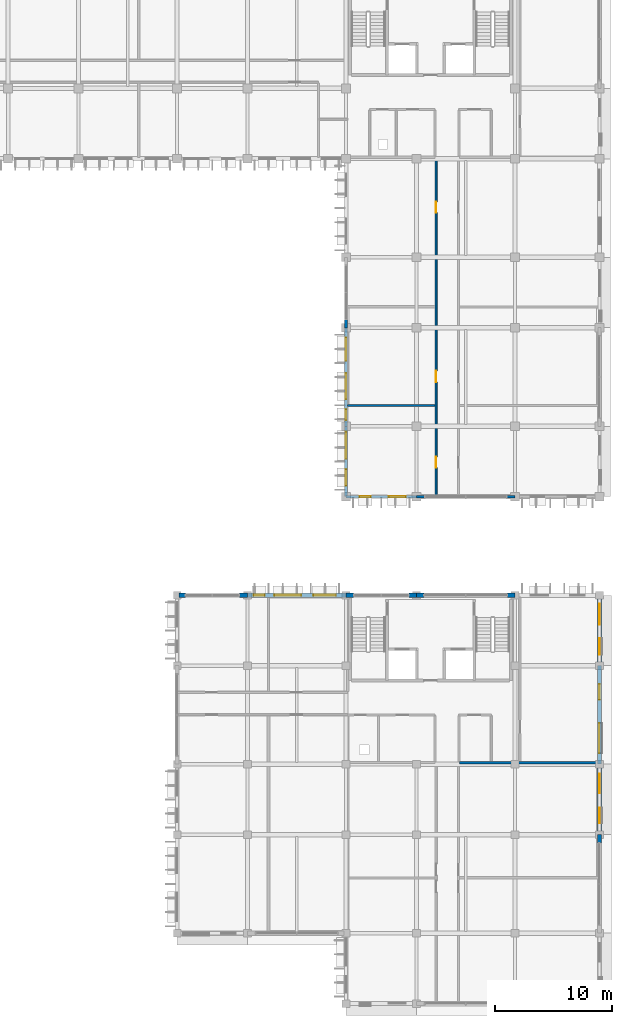
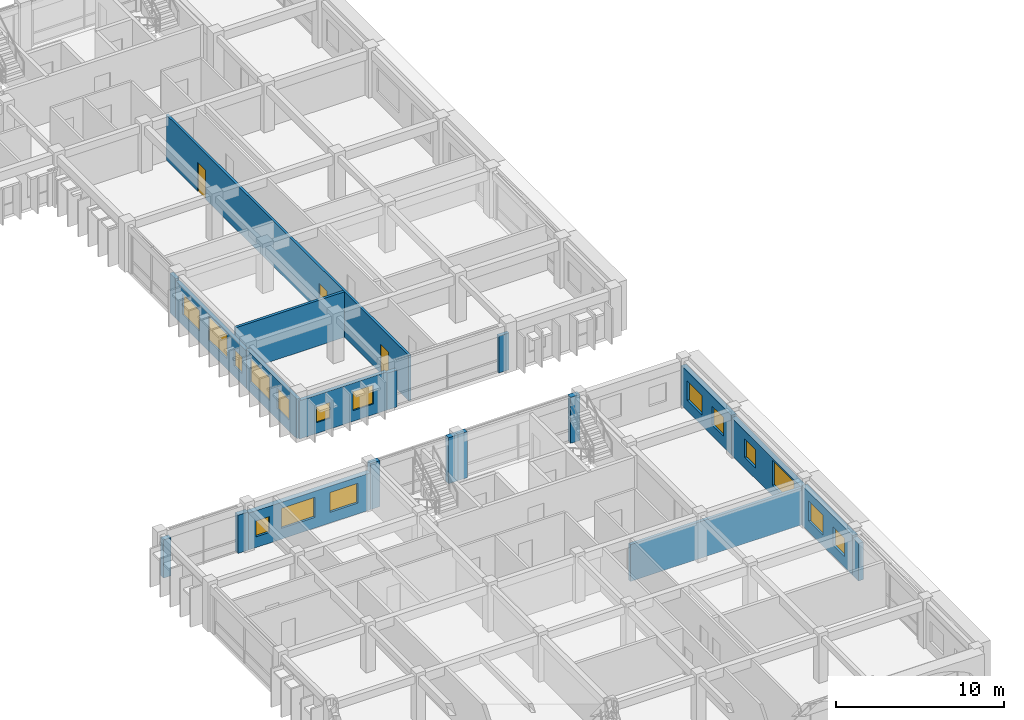
# One storey, part 64 of 88: 20 walls, 16 windows, 3 doors, 19 openings.
"""IFC4 building model written with IfcOpenShell, lengths in metres."""

from ifc_helpers import new_model, si_unit, direction, frame, frame_2d, origin, place, context, subcontext, project, spatial, rectangle, extrude, material, layer, layer_set, type_object, element, fill, save


model = new_model("IFC4")

# Units and contexts
model_context = context("Model", 3, precision=1e-05, world=origin(), true_north=direction((0.0, 1.0)))
body_context = subcontext(model_context, "Body", "Model", "MODEL_VIEW")
ifc_project = project(units=[si_unit("LENGTHUNIT", "METRE"), si_unit("AREAUNIT", "SQUARE_METRE"), si_unit("VOLUMEUNIT", "CUBIC_METRE"), si_unit("PLANEANGLEUNIT", "RADIAN"), si_unit("MASSUNIT", "GRAM", prefix="KILO"), si_unit("THERMODYNAMICTEMPERATUREUNIT", "KELVIN")], contexts=[model_context])

# Site, building, storey
site_placement = place(None, origin())
site = spatial("IfcSite", under=ifc_project, at=site_placement, CompositionType="ELEMENT")
building_placement = place(site_placement, origin())
building = spatial("IfcBuilding", under=site, at=building_placement, Name="Thalorik Housing Commons", CompositionType="ELEMENT")
storey_placement = place(building_placement, frame((0.0, 0.0, 4.5)))
storey = spatial("IfcBuildingStorey", under=building, at=storey_placement, Name="L01", CompositionType="ELEMENT", Elevation=4.5)

# Wall, openings, doors
ifc_material_1 = material(Name="Masonry fire-rated corridor wall", Category="masonry")
ifc_layer_1 = layer(ifc_material_1, 0.1650390625, Name="Masonry fire-rated corridor wall", Category="masonry")
ifc_layer_set_1 = layer_set([ifc_layer_1], Name="Masonry fire-rated corridor wall")
wall_type_1 = type_object("IfcWallType", Name="ARC-WAL-CORR-165", PredefinedType="PARTITIONING", material=ifc_layer_set_1)
wall_1_placement = place(storey_placement, frame((160.080078125, 80.4599609375, 0.0), z_axis=(0.0, 0.0, 1.0), x_axis=(0.0, 1.0, 0.0)))
wall_1 = element("IfcWall", 1, at=wall_1_placement, inside=storey, type_object=wall_type_1, Name="L01 Block B E Corridor Wall 1", PredefinedType="PARTITIONING", context=body_context, shape_type="SweptSolid", body=[
    extrude(rectangle(XDim=28.880126953125, YDim=0.1650390625, at=frame_2d((14.43994140625, 0.0))), origin(), (0.0, 0.0, 1.0), 3.300048828125),
])
opening_1_placement = place(wall_1_placement, frame((2.4052734375, 0.0, 0.0)))
opening_1 = element("IfcOpeningElement", 2, at=opening_1_placement, cuts=wall_1, Name="Opening ID-1019", PredefinedType="OPENING", context=body_context, shape_type="SweptSolid", body=[
    extrude(rectangle(XDim=0.949951171875, YDim=2.10009765625, at=frame_2d((0.47509765625, 1.050048828125))), frame((0.0, 0.092529296875, 0.0), z_axis=(0.0, -1.0, 0.0), x_axis=(1.0, 0.0, 0.0)), (0.0, 0.0, 1.0), 0.18505859375),
])
opening_2_placement = place(wall_1_placement, frame((9.70751953125, 0.0, 0.0)))
opening_2 = element("IfcOpeningElement", 3, at=opening_2_placement, cuts=wall_1, Name="Opening ID-1020", PredefinedType="OPENING", context=body_context, shape_type="SweptSolid", body=[
    extrude(rectangle(XDim=0.949951171875, YDim=2.10009765625, at=frame_2d((0.47509765625, 1.050048828125))), frame((0.0, 0.092529296875, 0.0), z_axis=(0.0, -1.0, 0.0), x_axis=(1.0, 0.0, 0.0)), (0.0, 0.0, 1.0), 0.18505859375),
])
opening_3_placement = place(wall_1_placement, frame((24.1455078125, 0.0, 0.0)))
opening_3 = element("IfcOpeningElement", 4, at=opening_3_placement, cuts=wall_1, Name="Opening ID-1021", PredefinedType="OPENING", context=body_context, shape_type="SweptSolid", body=[
    extrude(rectangle(XDim=0.949951171875, YDim=2.10009765625, at=frame_2d((0.47509765625, 1.050048828125))), frame((0.0, 0.092529296875, 0.0), z_axis=(0.0, -1.0, 0.0), x_axis=(1.0, 0.0, 0.0)), (0.0, 0.0, 1.0), 0.18505859375),
])
ifc_material_2 = material(Name="Steel S355", Category="steel")
door_type = type_object("IfcDoorType", Name="ARC-DR-FD60-950", OperationType="NOTDEFINED", PredefinedType="DOOR", material=ifc_material_2)
door_1_placement = place(opening_1_placement, origin())
door_1 = element("IfcDoor", 5, at=door_1_placement, inside=storey, type_object=door_type, Name="L01 Community Study Hall Entrance Door", OperationType="SINGLE_SWING_RIGHT", OverallHeight=2.10009765625, OverallWidth=0.949951171875, PredefinedType="DOOR", context=body_context, shape_type="SweptSolid", body=[
    extrude(rectangle(XDim=0.949951171875, YDim=2.10009765625, at=frame_2d((0.47509765625, 1.050048828125))), frame((0.0, 0.02490234375, 0.0), z_axis=(0.0, -1.0, 0.0), x_axis=(1.0, 0.0, 0.0)), (0.0, 0.0, 1.0), 0.050048828125),
])
fill(opening_1, door_1)
door_2_placement = place(opening_2_placement, origin())
door_2 = element("IfcDoor", 6, at=door_2_placement, inside=storey, type_object=door_type, Name="L01 Shared Sewing Workshop Entrance Door", OperationType="SINGLE_SWING_LEFT", OverallHeight=2.10009765625, OverallWidth=0.949951171875, PredefinedType="DOOR", context=body_context, shape_type="SweptSolid", body=[
    extrude(rectangle(XDim=0.949951171875, YDim=2.10009765625, at=frame_2d((0.47509765625, 1.050048828125))), frame((0.0, 0.02490234375, 0.0), z_axis=(0.0, -1.0, 0.0), x_axis=(1.0, 0.0, 0.0)), (0.0, 0.0, 1.0), 0.050048828125),
])
fill(opening_2, door_2)
door_3_placement = place(opening_3_placement, origin())
door_3 = element("IfcDoor", 7, at=door_3_placement, inside=storey, type_object=door_type, Name="L01 Digital Media Room Entrance Door", OperationType="SINGLE_SWING_RIGHT", OverallHeight=2.10009765625, OverallWidth=0.949951171875, PredefinedType="DOOR", context=body_context, shape_type="SweptSolid", body=[
    extrude(rectangle(XDim=0.949951171875, YDim=2.10009765625, at=frame_2d((0.47509765625, 1.050048828125))), frame((0.0, 0.02490234375, 0.0), z_axis=(0.0, -1.0, 0.0), x_axis=(1.0, 0.0, 0.0)), (0.0, 0.0, 1.0), 0.050048828125),
])
fill(opening_3, door_3)

# Wall
ifc_material_3 = material(Name="White precast concrete C40/50", Category="concrete")
ifc_layer_2 = layer(ifc_material_3, 0.2451171875, Name="White precast concrete C40/50", Category="concrete")
ifc_layer_set_2 = layer_set([ifc_layer_2], Name="White precast concrete C40/50")
wall_type_2 = type_object("IfcWallType", Name="ARC-WAL-EXT-245", PredefinedType="STANDARD", material=ifc_layer_set_2)
wall_2_placement = place(storey_placement, frame((152.39990234375, 95.5, 0.0), z_axis=(0.0, 0.0, 1.0), x_axis=(0.0, -1.0, 0.0)))
element("IfcWall", 8, at=wall_2_placement, inside=storey, type_object=wall_type_2, Name="L01 Exterior Wall WAL-PIERR-L01-B-0435", PredefinedType="STANDARD", context=body_context, shape_type="SweptSolid", body=[
    extrude(rectangle(XDim=0.699951171875, YDim=0.2451171875, at=frame_2d((0.35009765625, 0.0))), origin(), (0.0, 0.0, 1.0), 2.875),
])

# Wall, openings, windows
wall_3_placement = place(storey_placement, frame((152.39990234375, 94.800048828125, 0.0), z_axis=(0.0, 0.0, 1.0), x_axis=(0.0, -1.0, 0.0)))
wall_3 = element("IfcWall", 9, at=wall_3_placement, inside=storey, type_object=wall_type_2, Name="L01 Exterior Wall WAL-EXT-L01-B-0436", PredefinedType="STANDARD", context=body_context, shape_type="SweptSolid", body=[
    extrude(rectangle(XDim=8.400146484375, YDim=0.2451171875, at=frame_2d((4.2001953125, 0.0))), origin(), (0.0, 0.0, 1.0), 2.72509765625),
])
opening_4_placement = place(wall_3_placement, frame((0.83251953125, 0.0, 0.780029296875)))
opening_4 = element("IfcOpeningElement", 10, at=opening_4_placement, cuts=wall_3, Name="Opening W-23", PredefinedType="OPENING", context=body_context, shape_type="SweptSolid", body=[
    extrude(rectangle(XDim=2.0, YDim=1.5, at=frame_2d((1.0, 0.75))), frame((0.0, 0.132568359375, 0.0), z_axis=(0.0, -1.0, 0.0), x_axis=(1.0, 0.0, 0.0)), (0.0, 0.0, 1.0), 0.26513671875),
])
opening_5_placement = place(wall_3_placement, frame((3.87744140625, 0.0, 0.780029296875)))
opening_5 = element("IfcOpeningElement", 11, at=opening_5_placement, cuts=wall_3, Name="Opening W-30", PredefinedType="OPENING", context=body_context, shape_type="SweptSolid", body=[
    extrude(rectangle(XDim=2.199951171875, YDim=1.75, at=frame_2d((1.10009765625, 0.875))), frame((0.0, 0.132568359375, 0.0), z_axis=(0.0, -1.0, 0.0), x_axis=(1.0, 0.0, 0.0)), (0.0, 0.0, 1.0), 0.26513671875),
])
opening_6_placement = place(wall_3_placement, frame((6.965087890625, 0.0, 0.780029296875)))
opening_6 = element("IfcOpeningElement", 12, at=opening_6_placement, cuts=wall_3, Name="Opening W-01", PredefinedType="OPENING", context=body_context, shape_type="SweptSolid", body=[
    extrude(rectangle(XDim=0.89990234375, YDim=1.199951171875, at=frame_2d((0.449951171875, 0.60009765625))), frame((0.0, 0.132568359375, 0.0), z_axis=(0.0, -1.0, 0.0), x_axis=(1.0, 0.0, 0.0)), (0.0, 0.0, 1.0), 0.26513671875),
])
ifc_material_4 = material(Name="Anodised aluminium and solar-control low-E glass", Category="aluminium")
window_type_1 = type_object("IfcWindowType", Name="ARC-WIN-01", PartitioningType="SINGLE_PANEL", PredefinedType="WINDOW", material=ifc_material_4)
window_1_placement = place(opening_6_placement, origin())
window_1 = element("IfcWindow", 13, at=window_1_placement, inside=storey, type_object=window_type_1, Name="L01 Facade Window 780", OverallHeight=1.199951171875, OverallWidth=0.89990234375, PartitioningType="SINGLE_PANEL", PredefinedType="WINDOW", context=body_context, shape_type="SweptSolid", body=[
    extrude(rectangle(XDim=0.89990234375, YDim=1.199951171875, at=frame_2d((0.449951171875, 0.60009765625))), frame((0.0, 0.030029296875, 0.0), z_axis=(0.0, -1.0, 0.0), x_axis=(1.0, 0.0, 0.0)), (0.0, 0.0, 1.0), 0.06005859375),
])
fill(opening_6, window_1)
window_type_2 = type_object("IfcWindowType", Name="ARC-WIN-23", PartitioningType="DOUBLE_PANEL_VERTICAL", PredefinedType="WINDOW", material=ifc_material_4)
window_2_placement = place(opening_4_placement, origin())
window_2 = element("IfcWindow", 14, at=window_2_placement, inside=storey, type_object=window_type_2, Name="L01 Facade Window 778", OverallHeight=1.5, OverallWidth=2.0, PartitioningType="DOUBLE_PANEL_VERTICAL", PredefinedType="WINDOW", context=body_context, shape_type="SweptSolid", body=[
    extrude(rectangle(XDim=2.0, YDim=1.5, at=frame_2d((1.0, 0.75))), frame((0.0, 0.030029296875, 0.0), z_axis=(0.0, -1.0, 0.0), x_axis=(1.0, 0.0, 0.0)), (0.0, 0.0, 1.0), 0.06005859375),
])
fill(opening_4, window_2)
window_type_3 = type_object("IfcWindowType", Name="ARC-WIN-30", PartitioningType="DOUBLE_PANEL_VERTICAL", PredefinedType="WINDOW", material=ifc_material_4)
window_3_placement = place(opening_5_placement, origin())
window_3 = element("IfcWindow", 15, at=window_3_placement, inside=storey, type_object=window_type_3, Name="L01 Facade Window 779", OverallHeight=1.75, OverallWidth=2.199951171875, PartitioningType="DOUBLE_PANEL_VERTICAL", PredefinedType="WINDOW", context=body_context, shape_type="SweptSolid", body=[
    extrude(rectangle(XDim=2.199951171875, YDim=1.75, at=frame_2d((1.10009765625, 0.875))), frame((0.0, 0.030029296875, 0.0), z_axis=(0.0, -1.0, 0.0), x_axis=(1.0, 0.0, 0.0)), (0.0, 0.0, 1.0), 0.06005859375),
])
fill(opening_5, window_3)

wall_4_placement = place(storey_placement, frame((152.39990234375, 86.39990234375, 0.0), z_axis=(0.0, 0.0, 1.0), x_axis=(0.0, -1.0, 0.0)))
wall_4 = element("IfcWall", 16, at=wall_4_placement, inside=storey, type_object=wall_type_2, Name="L01 Exterior Wall WAL-EXT-L01-B-0437", PredefinedType="STANDARD", context=body_context, shape_type="SweptSolid", body=[
    extrude(rectangle(XDim=6.0, YDim=0.2451171875, at=frame_2d((3.0, 0.0))), origin(), (0.0, 0.0, 1.0), 2.875),
])
opening_7_placement = place(wall_4_placement, frame((0.47998046875, 0.0, 0.780029296875)))
opening_7 = element("IfcOpeningElement", 17, at=opening_7_placement, cuts=wall_4, Name="Opening W-32", PredefinedType="OPENING", context=body_context, shape_type="SweptSolid", body=[
    extrude(rectangle(XDim=2.300048828125, YDim=1.699951171875, at=frame_2d((1.14990234375, 0.85009765625))), frame((0.0, 0.132568359375, 0.0), z_axis=(0.0, -1.0, 0.0), x_axis=(1.0, 0.0, 0.0)), (0.0, 0.0, 1.0), 0.26513671875),
])
opening_8_placement = place(wall_4_placement, frame((3.679931640625, 0.0, 0.780029296875)))
opening_8 = element("IfcOpeningElement", 18, at=opening_8_placement, cuts=wall_4, Name="Opening W-49", PredefinedType="OPENING", context=body_context, shape_type="SweptSolid", body=[
    extrude(rectangle(XDim=1.3798828125, YDim=1.47998046875, at=frame_2d((0.68994140625, 0.739990234375))), frame((0.0, 0.132568359375, 0.0), z_axis=(0.0, -1.0, 0.0), x_axis=(1.0, 0.0, 0.0)), (0.0, 0.0, 1.0), 0.26513671875),
])
window_type_4 = type_object("IfcWindowType", Name="ARC-WIN-32", PartitioningType="DOUBLE_PANEL_VERTICAL", PredefinedType="WINDOW", material=ifc_material_4)
window_4_placement = place(opening_7_placement, origin())
window_4 = element("IfcWindow", 19, at=window_4_placement, inside=storey, type_object=window_type_4, Name="L01 Facade Window 781", OverallHeight=1.699951171875, OverallWidth=2.300048828125, PartitioningType="DOUBLE_PANEL_VERTICAL", PredefinedType="WINDOW", context=body_context, shape_type="SweptSolid", body=[
    extrude(rectangle(XDim=2.300048828125, YDim=1.699951171875, at=frame_2d((1.14990234375, 0.85009765625))), frame((0.0, 0.030029296875, 0.0), z_axis=(0.0, -1.0, 0.0), x_axis=(1.0, 0.0, 0.0)), (0.0, 0.0, 1.0), 0.06005859375),
])
fill(opening_7, window_4)
window_type_5 = type_object("IfcWindowType", Name="ARC-WIN-49", PartitioningType="SINGLE_PANEL", PredefinedType="WINDOW", material=ifc_material_4)
window_5_placement = place(opening_8_placement, origin())
window_5 = element("IfcWindow", 20, at=window_5_placement, inside=storey, type_object=window_type_5, Name="L01 Facade Window 782", OverallHeight=1.47998046875, OverallWidth=1.3798828125, PartitioningType="SINGLE_PANEL", PredefinedType="WINDOW", context=body_context, shape_type="SweptSolid", body=[
    extrude(rectangle(XDim=1.3798828125, YDim=1.47998046875, at=frame_2d((0.68994140625, 0.739990234375))), frame((0.0, 0.030029296875, 0.0), z_axis=(0.0, -1.0, 0.0), x_axis=(1.0, 0.0, 0.0)), (0.0, 0.0, 1.0), 0.06005859375),
])
fill(opening_8, window_5)

wall_5_placement = place(storey_placement, frame((152.39990234375, 80.39990234375, 0.0), z_axis=(0.0, 0.0, 1.0), x_axis=(1.0, 0.0, 0.0)))
wall_5 = element("IfcWall", 21, at=wall_5_placement, inside=storey, type_object=wall_type_2, Name="L01 Exterior Wall WAL-EXT-L01-B-0438", PredefinedType="STANDARD", context=body_context, shape_type="SweptSolid", body=[
    extrude(rectangle(XDim=6.0, YDim=0.2451171875, at=frame_2d((3.0, 0.0))), origin(), (0.0, 0.0, 1.0), 2.77490234375),
])
opening_9_placement = place(wall_5_placement, frame((1.155029296875, 0.0, 0.780029296875)))
opening_9 = element("IfcOpeningElement", 22, at=opening_9_placement, cuts=wall_5, Name="Opening W-43", PredefinedType="OPENING", context=body_context, shape_type="SweptSolid", body=[
    extrude(rectangle(XDim=0.949951171875, YDim=1.14990234375, at=frame_2d((0.47509765625, 0.574951171875))), frame((0.0, 0.132568359375, 0.0), z_axis=(0.0, -1.0, 0.0), x_axis=(1.0, 0.0, 0.0)), (0.0, 0.0, 1.0), 0.26513671875),
])
opening_10_placement = place(wall_5_placement, frame((3.659912109375, 0.0, 0.780029296875)))
opening_10 = element("IfcOpeningElement", 23, at=opening_10_placement, cuts=wall_5, Name="Opening W-50", PredefinedType="OPENING", context=body_context, shape_type="SweptSolid", body=[
    extrude(rectangle(XDim=1.419921875, YDim=1.3798828125, at=frame_2d((0.7099609375, 0.68994140625))), frame((0.0, 0.132568359375, 0.0), z_axis=(0.0, -1.0, 0.0), x_axis=(1.0, 0.0, 0.0)), (0.0, 0.0, 1.0), 0.26513671875),
])
window_type_6 = type_object("IfcWindowType", Name="ARC-WIN-43", PartitioningType="SINGLE_PANEL", PredefinedType="WINDOW", material=ifc_material_4)
window_6_placement = place(opening_9_placement, origin())
window_6 = element("IfcWindow", 24, at=window_6_placement, inside=storey, type_object=window_type_6, Name="L01 Facade Window 783", OverallHeight=1.14990234375, OverallWidth=0.949951171875, PartitioningType="SINGLE_PANEL", PredefinedType="WINDOW", context=body_context, shape_type="SweptSolid", body=[
    extrude(rectangle(XDim=0.949951171875, YDim=1.14990234375, at=frame_2d((0.47509765625, 0.574951171875))), frame((0.0, 0.030029296875, 0.0), z_axis=(0.0, -1.0, 0.0), x_axis=(1.0, 0.0, 0.0)), (0.0, 0.0, 1.0), 0.06005859375),
])
fill(opening_9, window_6)
window_type_7 = type_object("IfcWindowType", Name="ARC-WIN-50", PartitioningType="SINGLE_PANEL", PredefinedType="WINDOW", material=ifc_material_4)
window_7_placement = place(opening_10_placement, origin())
window_7 = element("IfcWindow", 25, at=window_7_placement, inside=storey, type_object=window_type_7, Name="L01 Facade Window 784", OverallHeight=1.3798828125, OverallWidth=1.419921875, PartitioningType="SINGLE_PANEL", PredefinedType="WINDOW", context=body_context, shape_type="SweptSolid", body=[
    extrude(rectangle(XDim=1.419921875, YDim=1.3798828125, at=frame_2d((0.7099609375, 0.68994140625))), frame((0.0, 0.030029296875, 0.0), z_axis=(0.0, -1.0, 0.0), x_axis=(1.0, 0.0, 0.0)), (0.0, 0.0, 1.0), 0.06005859375),
])
fill(opening_10, window_7)

# Walls
wall_6_placement = place(storey_placement, frame((158.39990234375, 80.39990234375, 0.0), z_axis=(0.0, 0.0, 1.0), x_axis=(1.0, 0.0, 0.0)))
element("IfcWall", 26, at=wall_6_placement, inside=storey, type_object=wall_type_2, Name="L01 Exterior Wall WAL-PIERL-L01-B-0439", PredefinedType="STANDARD", context=body_context, shape_type="SweptSolid", body=[
    extrude(rectangle(XDim=0.7001953125, YDim=0.2451171875, at=frame_2d((0.35009765625, 0.0))), origin(), (0.0, 0.0, 1.0), 2.675048828125),
])
wall_7_placement = place(storey_placement, frame((166.10009765625, 80.39990234375, 0.0), z_axis=(0.0, 0.0, 1.0), x_axis=(1.0, 0.0, 0.0)))
element("IfcWall", 27, at=wall_7_placement, inside=storey, type_object=wall_type_2, Name="L01 Exterior Wall WAL-PIERR-L01-B-0439", PredefinedType="STANDARD", context=body_context, shape_type="SweptSolid", body=[
    extrude(rectangle(XDim=0.699951171875, YDim=0.2451171875, at=frame_2d((0.35009765625, 0.0))), origin(), (0.0, 0.0, 1.0), 2.675048828125),
])

# Wall, openings, windows
ifc_layer_3 = layer(ifc_material_3, 0.35009765625, Name="White precast concrete C40/50", Category="concrete")
ifc_layer_set_3 = layer_set([ifc_layer_3], Name="White precast concrete C40/50")
wall_type_3 = type_object("IfcWallType", Name="ARC-WAL-EXT-350", PredefinedType="STANDARD", material=ifc_layer_set_3)
wall_8_placement = place(storey_placement, frame((152.39990234375, 72.0, 0.0), z_axis=(0.0, 0.0, 1.0), x_axis=(-1.0, 0.0, 0.0)))
wall_8 = element("IfcWall", 28, at=wall_8_placement, inside=storey, type_object=wall_type_3, Name="L01 Exterior Wall WAL-EXT-L01-D-1125", PredefinedType="STANDARD", context=body_context, shape_type="SweptSolid", body=[
    extrude(rectangle(XDim=8.39990234375, YDim=0.35009765625, at=frame_2d((4.199951171875, 0.0))), origin(), (0.0, 0.0, 1.0), 2.675048828125),
])
opening_11_placement = place(wall_8_placement, frame((0.8701171875, 0.0, 0.780029296875)))
opening_11 = element("IfcOpeningElement", 29, at=opening_11_placement, cuts=wall_8, Name="Opening W-60", PredefinedType="OPENING", context=body_context, shape_type="SweptSolid", body=[
    extrude(rectangle(XDim=1.919921875, YDim=1.43994140625, at=frame_2d((0.9599609375, 0.719970703125))), frame((0.0, 0.18505859375, 0.0), z_axis=(0.0, -1.0, 0.0), x_axis=(1.0, 0.0, 0.0)), (0.0, 0.0, 1.0), 0.3701171875),
])
opening_12_placement = place(wall_8_placement, frame((3.830078125, 0.0, 0.780029296875)))
opening_12 = element("IfcOpeningElement", 30, at=opening_12_placement, cuts=wall_8, Name="Opening W-67", PredefinedType="OPENING", context=body_context, shape_type="SweptSolid", body=[
    extrude(rectangle(XDim=2.280029296875, YDim=1.4599609375, at=frame_2d((1.14013671875, 0.72998046875))), frame((0.0, 0.18505859375, 0.0), z_axis=(0.0, -1.0, 0.0), x_axis=(1.0, 0.0, 0.0)), (0.0, 0.0, 1.0), 0.3701171875),
])
opening_13_placement = place(wall_8_placement, frame((6.93505859375, 0.0, 0.780029296875)))
opening_13 = element("IfcOpeningElement", 31, at=opening_13_placement, cuts=wall_8, Name="Opening W-43", PredefinedType="OPENING", context=body_context, shape_type="SweptSolid", body=[
    extrude(rectangle(XDim=0.949951171875, YDim=1.14990234375, at=frame_2d((0.47509765625, 0.574951171875))), frame((0.0, 0.18505859375, 0.0), z_axis=(0.0, -1.0, 0.0), x_axis=(1.0, 0.0, 0.0)), (0.0, 0.0, 1.0), 0.3701171875),
])
window_8_placement = place(opening_13_placement, origin())
window_8 = element("IfcWindow", 32, at=window_8_placement, inside=storey, type_object=window_type_6, Name="L01 Facade Window 2071", OverallHeight=1.14990234375, OverallWidth=0.949951171875, PartitioningType="SINGLE_PANEL", PredefinedType="WINDOW", context=body_context, shape_type="SweptSolid", body=[
    extrude(rectangle(XDim=0.949951171875, YDim=1.14990234375, at=frame_2d((0.47509765625, 0.574951171875))), frame((0.0, 0.030029296875, 0.0), z_axis=(0.0, -1.0, 0.0), x_axis=(1.0, 0.0, 0.0)), (0.0, 0.0, 1.0), 0.06005859375),
])
fill(opening_13, window_8)
window_type_8 = type_object("IfcWindowType", Name="ARC-WIN-60", PartitioningType="DOUBLE_PANEL_VERTICAL", PredefinedType="WINDOW", material=ifc_material_4)
window_9_placement = place(opening_11_placement, origin())
window_9 = element("IfcWindow", 33, at=window_9_placement, inside=storey, type_object=window_type_8, Name="L01 Facade Window 2069", OverallHeight=1.43994140625, OverallWidth=1.919921875, PartitioningType="DOUBLE_PANEL_VERTICAL", PredefinedType="WINDOW", context=body_context, shape_type="SweptSolid", body=[
    extrude(rectangle(XDim=1.919921875, YDim=1.43994140625, at=frame_2d((0.9599609375, 0.719970703125))), frame((0.0, 0.030029296875, 0.0), z_axis=(0.0, -1.0, 0.0), x_axis=(1.0, 0.0, 0.0)), (0.0, 0.0, 1.0), 0.06005859375),
])
fill(opening_11, window_9)
window_type_9 = type_object("IfcWindowType", Name="ARC-WIN-67", PartitioningType="DOUBLE_PANEL_VERTICAL", PredefinedType="WINDOW", material=ifc_material_4)
window_10_placement = place(opening_12_placement, origin())
window_10 = element("IfcWindow", 34, at=window_10_placement, inside=storey, type_object=window_type_9, Name="L01 Facade Window 2070", OverallHeight=1.4599609375, OverallWidth=2.280029296875, PartitioningType="DOUBLE_PANEL_VERTICAL", PredefinedType="WINDOW", context=body_context, shape_type="SweptSolid", body=[
    extrude(rectangle(XDim=2.280029296875, YDim=1.4599609375, at=frame_2d((1.14013671875, 0.72998046875))), frame((0.0, 0.030029296875, 0.0), z_axis=(0.0, -1.0, 0.0), x_axis=(1.0, 0.0, 0.0)), (0.0, 0.0, 1.0), 0.06005859375),
])
fill(opening_12, window_10)

# Walls
wall_9_placement = place(storey_placement, frame((144.0, 72.0, 0.0), z_axis=(0.0, 0.0, 1.0), x_axis=(-1.0, 0.0, 0.0)))
element("IfcWall", 35, at=wall_9_placement, inside=storey, type_object=wall_type_3, Name="L01 Exterior Wall WAL-PIERL-L01-D-1126", PredefinedType="STANDARD", context=body_context, shape_type="SweptSolid", body=[
    extrude(rectangle(XDim=0.699951171875, YDim=0.35009765625, at=frame_2d((0.35009765625, 0.0))), origin(), (0.0, 0.0, 1.0), 2.77490234375),
])
wall_10_placement = place(storey_placement, frame((138.699951171875, 72.0, 0.0), z_axis=(0.0, 0.0, 1.0), x_axis=(-1.0, 0.0, 0.0)))
element("IfcWall", 36, at=wall_10_placement, inside=storey, type_object=wall_type_3, Name="L01 Exterior Wall WAL-PIERR-L01-D-1126", PredefinedType="STANDARD", context=body_context, shape_type="SweptSolid", body=[
    extrude(rectangle(XDim=0.52294921875, YDim=0.35009765625, at=frame_2d((0.261474609375, 0.0))), origin(), (0.0, 0.0, 1.0), 2.77490234375),
])
wall_11_placement = place(storey_placement, frame((174.0, 50.89990234375, 0.0), z_axis=(0.0, 0.0, 1.0), x_axis=(0.0, 1.0, 0.0)))
element("IfcWall", 37, at=wall_11_placement, inside=storey, type_object=wall_type_3, Name="L01 Exterior Wall WAL-PIERR-L01-D-1138", PredefinedType="STANDARD", context=body_context, shape_type="SweptSolid", body=[
    extrude(rectangle(XDim=0.7001953125, YDim=0.35009765625, at=frame_2d((0.35009765625, 0.0))), origin(), (0.0, 0.0, 1.0), 2.72509765625),
])

# Wall, openings, windows
wall_12_placement = place(storey_placement, frame((174.0, 51.60009765625, 0.0), z_axis=(0.0, 0.0, 1.0), x_axis=(0.0, 1.0, 0.0)))
wall_12 = element("IfcWall", 38, at=wall_12_placement, inside=storey, type_object=wall_type_3, Name="L01 Exterior Wall WAL-EXT-L01-D-1139", PredefinedType="STANDARD", context=body_context, shape_type="SweptSolid", body=[
    extrude(rectangle(XDim=6.0, YDim=0.35009765625, at=frame_2d((3.0, 0.0))), origin(), (0.0, 0.0, 1.0), 2.875),
])
opening_14_placement = place(wall_12_placement, frame((0.969970703125, 0.0, 0.780029296875)))
opening_14 = element("IfcOpeningElement", 39, at=opening_14_placement, cuts=wall_12, Name="Opening W-48", PredefinedType="OPENING", context=body_context, shape_type="SweptSolid", body=[
    extrude(rectangle(XDim=1.320068359375, YDim=1.35009765625, at=frame_2d((0.66015625, 0.675048828125))), frame((0.0, 0.18505859375, 0.0), z_axis=(0.0, -1.0, 0.0), x_axis=(1.0, 0.0, 0.0)), (0.0, 0.0, 1.0), 0.3701171875),
])
opening_15_placement = place(wall_12_placement, frame((3.530029296875, 0.0, 0.780029296875)))
opening_15 = element("IfcOpeningElement", 40, at=opening_15_placement, cuts=wall_12, Name="Opening W-55", PredefinedType="OPENING", context=body_context, shape_type="SweptSolid", body=[
    extrude(rectangle(XDim=1.679931640625, YDim=1.4599609375, at=frame_2d((0.83984375, 0.72998046875))), frame((0.0, 0.18505859375, 0.0), z_axis=(0.0, -1.0, 0.0), x_axis=(1.0, 0.0, 0.0)), (0.0, 0.0, 1.0), 0.3701171875),
])
window_type_10 = type_object("IfcWindowType", Name="ARC-WIN-48", PartitioningType="SINGLE_PANEL", PredefinedType="WINDOW", material=ifc_material_4)
window_11_placement = place(opening_14_placement, origin())
window_11 = element("IfcWindow", 41, at=window_11_placement, inside=storey, type_object=window_type_10, Name="L01 Facade Window 2088", OverallHeight=1.35009765625, OverallWidth=1.320068359375, PartitioningType="SINGLE_PANEL", PredefinedType="WINDOW", context=body_context, shape_type="SweptSolid", body=[
    extrude(rectangle(XDim=1.320068359375, YDim=1.35009765625, at=frame_2d((0.66015625, 0.675048828125))), frame((0.0, 0.030029296875, 0.0), z_axis=(0.0, -1.0, 0.0), x_axis=(1.0, 0.0, 0.0)), (0.0, 0.0, 1.0), 0.06005859375),
])
fill(opening_14, window_11)
window_type_11 = type_object("IfcWindowType", Name="ARC-WIN-55", PartitioningType="DOUBLE_PANEL_VERTICAL", PredefinedType="WINDOW", material=ifc_material_4)
window_12_placement = place(opening_15_placement, origin())
window_12 = element("IfcWindow", 42, at=window_12_placement, inside=storey, type_object=window_type_11, Name="L01 Facade Window 2089", OverallHeight=1.4599609375, OverallWidth=1.679931640625, PartitioningType="DOUBLE_PANEL_VERTICAL", PredefinedType="WINDOW", context=body_context, shape_type="SweptSolid", body=[
    extrude(rectangle(XDim=1.679931640625, YDim=1.4599609375, at=frame_2d((0.83984375, 0.72998046875))), frame((0.0, 0.030029296875, 0.0), z_axis=(0.0, -1.0, 0.0), x_axis=(1.0, 0.0, 0.0)), (0.0, 0.0, 1.0), 0.06005859375),
])
fill(opening_15, window_12)

wall_13_placement = place(storey_placement, frame((174.0, 57.60009765625, 0.0), z_axis=(0.0, 0.0, 1.0), x_axis=(0.0, 1.0, 0.0)))
wall_13 = element("IfcWall", 43, at=wall_13_placement, inside=storey, type_object=wall_type_3, Name="L01 Exterior Wall WAL-EXT-L01-D-1140", PredefinedType="STANDARD", context=body_context, shape_type="SweptSolid", body=[
    extrude(rectangle(XDim=8.39990234375, YDim=0.35009765625, at=frame_2d((4.199951171875, 0.0))), origin(), (0.0, 0.0, 1.0), 2.72509765625),
])
opening_16_placement = place(wall_13_placement, frame((0.955078125, 0.0, 0.780029296875)))
opening_16 = element("IfcOpeningElement", 44, at=opening_16_placement, cuts=wall_13, Name="Opening W-38", PredefinedType="OPENING", context=body_context, shape_type="SweptSolid", body=[
    extrude(rectangle(XDim=2.550048828125, YDim=1.800048828125, at=frame_2d((1.27490234375, 0.89990234375))), frame((0.0, 0.18505859375, 0.0), z_axis=(0.0, -1.0, 0.0), x_axis=(1.0, 0.0, 0.0)), (0.0, 0.0, 1.0), 0.3701171875),
])
opening_17_placement = place(wall_13_placement, frame((5.510009765625, 0.0, 0.780029296875)))
opening_17 = element("IfcOpeningElement", 45, at=opening_17_placement, cuts=wall_13, Name="Opening W-48", PredefinedType="OPENING", context=body_context, shape_type="SweptSolid", body=[
    extrude(rectangle(XDim=1.320068359375, YDim=1.35009765625, at=frame_2d((0.66015625, 0.675048828125))), frame((0.0, 0.18505859375, 0.0), z_axis=(0.0, -1.0, 0.0), x_axis=(1.0, 0.0, 0.0)), (0.0, 0.0, 1.0), 0.3701171875),
])
window_type_12 = type_object("IfcWindowType", Name="ARC-WIN-38", PartitioningType="DOUBLE_PANEL_VERTICAL", PredefinedType="WINDOW", material=ifc_material_4)
window_13_placement = place(opening_16_placement, origin())
window_13 = element("IfcWindow", 46, at=window_13_placement, inside=storey, type_object=window_type_12, Name="L01 Facade Window 2090", OverallHeight=1.800048828125, OverallWidth=2.550048828125, PartitioningType="DOUBLE_PANEL_VERTICAL", PredefinedType="WINDOW", context=body_context, shape_type="SweptSolid", body=[
    extrude(rectangle(XDim=2.550048828125, YDim=1.800048828125, at=frame_2d((1.27490234375, 0.89990234375))), frame((0.0, 0.030029296875, 0.0), z_axis=(0.0, -1.0, 0.0), x_axis=(1.0, 0.0, 0.0)), (0.0, 0.0, 1.0), 0.06005859375),
])
fill(opening_16, window_13)
window_14_placement = place(opening_17_placement, origin())
window_14 = element("IfcWindow", 47, at=window_14_placement, inside=storey, type_object=window_type_10, Name="L01 Facade Window 2091", OverallHeight=1.35009765625, OverallWidth=1.320068359375, PartitioningType="SINGLE_PANEL", PredefinedType="WINDOW", context=body_context, shape_type="SweptSolid", body=[
    extrude(rectangle(XDim=1.320068359375, YDim=1.35009765625, at=frame_2d((0.66015625, 0.675048828125))), frame((0.0, 0.030029296875, 0.0), z_axis=(0.0, -1.0, 0.0), x_axis=(1.0, 0.0, 0.0)), (0.0, 0.0, 1.0), 0.06005859375),
])
fill(opening_17, window_14)

wall_14_placement = place(storey_placement, frame((174.0, 66.0, 0.0), z_axis=(0.0, 0.0, 1.0), x_axis=(0.0, 1.0, 0.0)))
wall_14 = element("IfcWall", 48, at=wall_14_placement, inside=storey, type_object=wall_type_3, Name="L01 Exterior Wall WAL-EXT-L01-D-1141", PredefinedType="STANDARD", context=body_context, shape_type="SweptSolid", body=[
    extrude(rectangle(XDim=6.0, YDim=0.35009765625, at=frame_2d((3.0, 0.0))), origin(), (0.0, 0.0, 1.0), 2.875),
])
opening_18_placement = place(wall_14_placement, frame((0.919921875, 0.0, 0.780029296875)))
opening_18 = element("IfcOpeningElement", 49, at=opening_18_placement, cuts=wall_14, Name="Opening W-50", PredefinedType="OPENING", context=body_context, shape_type="SweptSolid", body=[
    extrude(rectangle(XDim=1.419921875, YDim=1.3798828125, at=frame_2d((0.7099609375, 0.68994140625))), frame((0.0, 0.18505859375, 0.0), z_axis=(0.0, -1.0, 0.0), x_axis=(1.0, 0.0, 0.0)), (0.0, 0.0, 1.0), 0.3701171875),
])
opening_19_placement = place(wall_14_placement, frame((3.47998046875, 0.0, 0.780029296875)))
opening_19 = element("IfcOpeningElement", 50, at=opening_19_placement, cuts=wall_14, Name="Opening W-57", PredefinedType="OPENING", context=body_context, shape_type="SweptSolid", body=[
    extrude(rectangle(XDim=1.780029296875, YDim=1.419921875, at=frame_2d((0.89013671875, 0.7099609375))), frame((0.0, 0.18505859375, 0.0), z_axis=(0.0, -1.0, 0.0), x_axis=(1.0, 0.0, 0.0)), (0.0, 0.0, 1.0), 0.3701171875),
])
window_15_placement = place(opening_18_placement, origin())
window_15 = element("IfcWindow", 51, at=window_15_placement, inside=storey, type_object=window_type_7, Name="L01 Facade Window 2092", OverallHeight=1.3798828125, OverallWidth=1.419921875, PartitioningType="SINGLE_PANEL", PredefinedType="WINDOW", context=body_context, shape_type="SweptSolid", body=[
    extrude(rectangle(XDim=1.419921875, YDim=1.3798828125, at=frame_2d((0.7099609375, 0.68994140625))), frame((0.0, 0.030029296875, 0.0), z_axis=(0.0, -1.0, 0.0), x_axis=(1.0, 0.0, 0.0)), (0.0, 0.0, 1.0), 0.06005859375),
])
fill(opening_18, window_15)
window_type_13 = type_object("IfcWindowType", Name="ARC-WIN-57", PartitioningType="DOUBLE_PANEL_VERTICAL", PredefinedType="WINDOW", material=ifc_material_4)
window_16_placement = place(opening_19_placement, origin())
window_16 = element("IfcWindow", 52, at=window_16_placement, inside=storey, type_object=window_type_13, Name="L01 Facade Window 2093", OverallHeight=1.419921875, OverallWidth=1.780029296875, PartitioningType="DOUBLE_PANEL_VERTICAL", PredefinedType="WINDOW", context=body_context, shape_type="SweptSolid", body=[
    extrude(rectangle(XDim=1.780029296875, YDim=1.419921875, at=frame_2d((0.89013671875, 0.7099609375))), frame((0.0, 0.030029296875, 0.0), z_axis=(0.0, -1.0, 0.0), x_axis=(1.0, 0.0, 0.0)), (0.0, 0.0, 1.0), 0.06005859375),
])
fill(opening_19, window_16)

# Walls
for number, where, z_axis, x_axis, name in (
    (53, (166.800048828125, 72.0, 0.0), (0.0, 0.0, 1.0), (-1.0, 0.0, 0.0), "L01 Exterior Wall WAL-PIERL-L01-D-1143"),
    (54, (159.050048828125, 72.0, 0.0), (0.0, 0.0, 1.0), (-1.0, 0.0, 0.0), "L01 Exterior Wall WAL-PIERR-L01-D-1143"),
):
    element("IfcWall", number, at=place(storey_placement, frame(where, z_axis=z_axis, x_axis=x_axis)), inside=storey, type_object=wall_type_3, Name=name, PredefinedType="STANDARD", context=body_context, shape_type="SweptSolid", body=[
        extrude(rectangle(XDim=0.650146484375, YDim=0.35009765625, at=frame_2d((0.3251953125, 0.0))), origin(), (0.0, 0.0, 1.0), 3.340087890625),
    ])
wall_15_placement = place(storey_placement, frame((158.39990234375, 72.0, 0.0), z_axis=(0.0, 0.0, 1.0), x_axis=(-1.0, 0.0, 0.0)))
element("IfcWall", 55, at=wall_15_placement, inside=storey, type_object=wall_type_3, Name="L01 Exterior Wall WAL-PIERL-L01-D-1144", PredefinedType="STANDARD", context=body_context, shape_type="SweptSolid", body=[
    extrude(rectangle(XDim=0.64990234375, YDim=0.35009765625, at=frame_2d((0.324951171875, 0.0))), origin(), (0.0, 0.0, 1.0), 3.340087890625),
])
wall_16_placement = place(storey_placement, frame((153.050048828125, 72.0, 0.0), z_axis=(0.0, 0.0, 1.0), x_axis=(-1.0, 0.0, 0.0)))
element("IfcWall", 56, at=wall_16_placement, inside=storey, type_object=wall_type_3, Name="L01 Exterior Wall WAL-PIERR-L01-D-1144", PredefinedType="STANDARD", context=body_context, shape_type="SweptSolid", body=[
    extrude(rectangle(XDim=0.650146484375, YDim=0.35009765625, at=frame_2d((0.3251953125, 0.0))), origin(), (0.0, 0.0, 1.0), 3.340087890625),
])
ifc_material_5 = material(Name="Masonry acoustic blockwork wall", Category="masonry")
ifc_layer_4 = layer(ifc_material_5, 0.18505859375, Name="Masonry acoustic blockwork wall", Category="masonry")
ifc_layer_set_4 = layer_set([ifc_layer_4], Name="Masonry acoustic blockwork wall")
wall_type_4 = type_object("IfcWallType", Name="ARC-WAL-PARTY-185", PredefinedType="PARTITIONING", material=ifc_layer_set_4)
wall_17_placement = place(storey_placement, frame((152.5244140625, 88.179931640625, 0.0), z_axis=(0.0, 0.0, 1.0), x_axis=(1.0, 0.0, 0.0)))
element("IfcWall", 57, at=wall_17_placement, inside=storey, type_object=wall_type_4, Name="L01 Inter-Tenancy Wall 1A", PredefinedType="PARTITIONING", context=body_context, shape_type="SweptSolid", body=[
    extrude(rectangle(XDim=7.47119140625, YDim=0.18505859375, at=frame_2d((3.735595703125, 0.0))), origin(), (0.0, 0.0, 1.0), 3.300048828125),
])
ifc_material_6 = material(Name="Precast concrete C40/50 acoustic wall", Category="concrete")
ifc_layer_5 = layer(ifc_material_6, 0.199951171875, Name="Precast concrete C40/50 acoustic wall", Category="concrete")
ifc_layer_set_5 = layer_set([ifc_layer_5], Name="Precast concrete C40/50 acoustic wall")
wall_type_5 = type_object("IfcWallType", Name="ARC-WAL-PARTY-200", PredefinedType="PARTITIONING", material=ifc_layer_set_5)
wall_18_placement = place(storey_placement, frame((162.056884765625, 57.739990234375, 0.0), z_axis=(0.0, 0.0, 1.0), x_axis=(1.0, 0.0, 0.0)))
element("IfcWall", 58, at=wall_18_placement, inside=storey, type_object=wall_type_5, Name="L01 Core End Wall B", PredefinedType="PARTITIONING", context=body_context, shape_type="SweptSolid", body=[
    extrude(rectangle(XDim=11.76611328125, YDim=0.199951171875, at=frame_2d((5.883056640625, 0.0))), origin(), (0.0, 0.0, 1.0), 2.675048828125),
])

save(model, "model.ifc")
